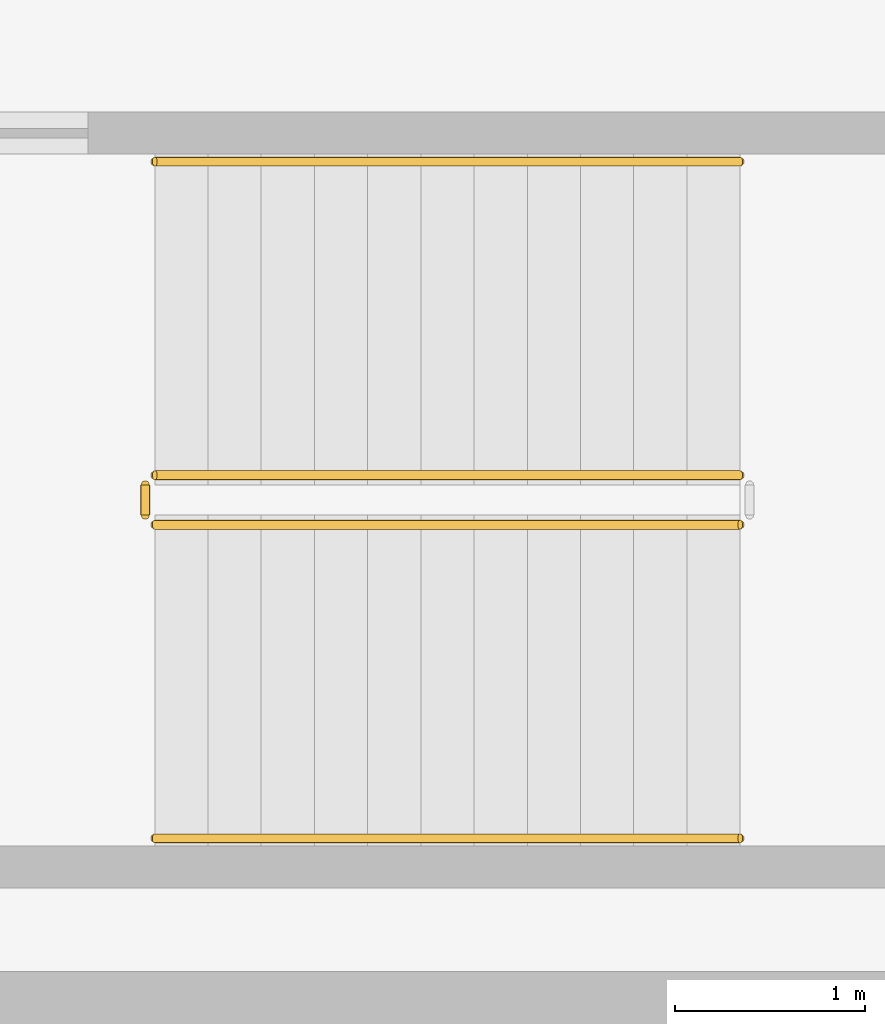
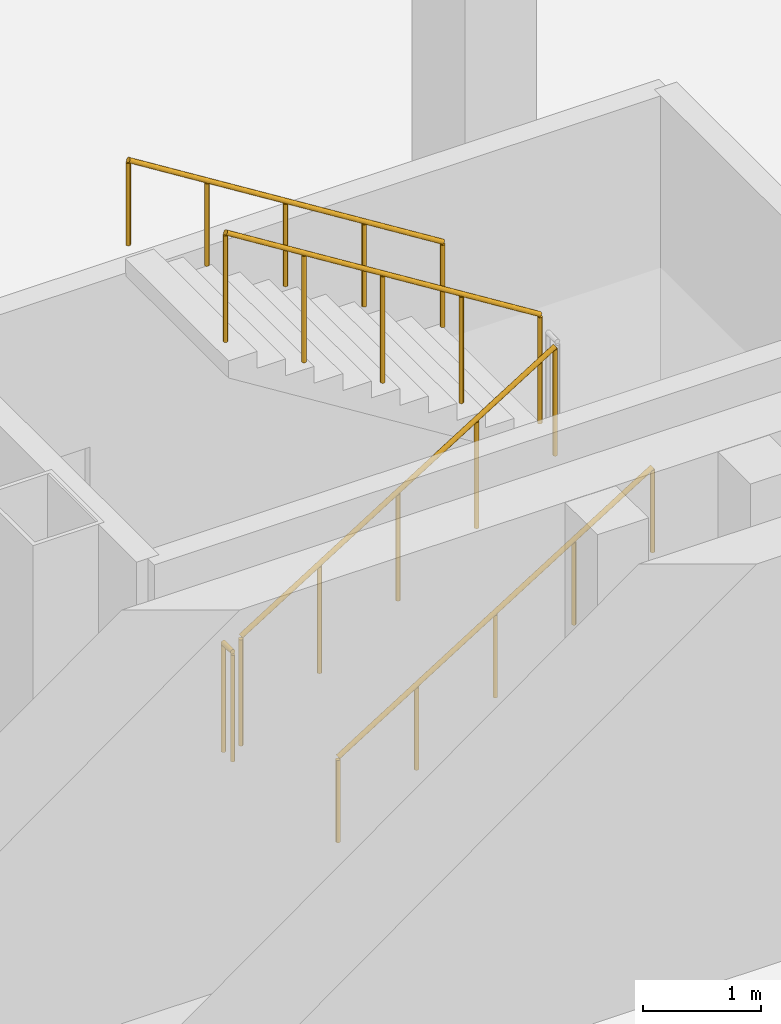
# One storey, part 11 of 16: 5 railings.
"""IFC4 building model written with IfcOpenShell, lengths in metres."""

from ifc_helpers import new_model, si_unit, direction, frame, origin, origin_2d, place, context, subcontext, project, spatial, circle, extrude, material, type_object, element, save


model = new_model("IFC4")

# Units and contexts
model_context = context("Model", 3, precision=1e-05, world=origin(), true_north=direction((0.0, 1.0)))
body_context = subcontext(model_context, "Body", "Model", "MODEL_VIEW")
ifc_project = project(units=[si_unit("LENGTHUNIT", "METRE"), si_unit("AREAUNIT", "SQUARE_METRE"), si_unit("VOLUMEUNIT", "CUBIC_METRE"), si_unit("PLANEANGLEUNIT", "RADIAN"), si_unit("MASSUNIT", "GRAM", prefix="KILO")], contexts=[model_context])

# Site, building, storey
site_placement = place(None, origin())
site = spatial("IfcSite", under=ifc_project, at=site_placement, CompositionType="ELEMENT")
building_placement = place(site_placement, origin())
building = spatial("IfcBuilding", under=site, at=building_placement, Name="Kolveth Station Tower", CompositionType="ELEMENT")
storey_placement = place(building_placement, frame((0.0, 0.0, -8.39990234375)))
storey = spatial("IfcBuildingStorey", under=building, at=storey_placement, Name="B2", CompositionType="ELEMENT", Elevation=-8.39990234375)

# Railings
ifc_material_1 = material(Name="Painted Steel S355 balustrade", Category="steel")
railing_type_1 = type_object("IfcRailingType", Name="Guard_GR2", PredefinedType="BALUSTRADE", material=ifc_material_1)
railing_1_placement = place(storey_placement, frame((57.75, -8.5, 0.1748046875)))
element("IfcRailing", 1, at=railing_1_placement, inside=storey, type_object=railing_type_1, Name="B2 ST4 stair guard 1", PredefinedType="BALUSTRADE", context=body_context, shape_type="SweptSolid", body=[
    extrude(circle(Radius=0.02392578125, at=origin_2d()), frame((0.0, 0.0, 1.1259765625), z_axis=(0.847998304005, 0.0, 0.529998940003), x_axis=(0.0, 1.0, 0.0)), (0.0, 0.0, 1.0), 3.632080078125),
    extrude(circle(Radius=0.02099609375, at=origin_2d()), origin(), (0.0, 0.0, 1.0), 1.101806640625),
    extrude(circle(Radius=0.02099609375, at=origin_2d()), frame((0.77001953125, 0.0, 0.481201171875)), (0.0, 0.0, 1.0), 1.101806640625),
    extrude(circle(Radius=0.02099609375, at=origin_2d()), frame((1.5400390625, 0.0, 0.96240234375)), (0.0, 0.0, 1.0), 1.101806640625),
    extrude(circle(Radius=0.02099609375, at=origin_2d()), frame((2.31005859375, 0.0, 1.44384765625)), (0.0, 0.0, 1.0), 1.101806640625),
    extrude(circle(Radius=0.02099609375, at=origin_2d()), frame((3.080078125, 0.0, 1.925048828125)), (0.0, 0.0, 1.0), 1.101806640625),
])
railing_2_placement = place(storey_placement, frame((60.830078125, -8.239990234375, 2.27490234375)))
element("IfcRailing", 2, at=railing_2_placement, inside=storey, type_object=railing_type_1, Name="B2 ST4 stair guard 3", PredefinedType="BALUSTRADE", context=body_context, shape_type="SweptSolid", body=[
    extrude(circle(Radius=0.02392578125, at=origin_2d()), frame((0.0, 0.0, 1.1259765625), z_axis=(-0.847998304005, 0.0, 0.529998940003), x_axis=(0.0, -1.0, 0.0)), (0.0, 0.0, 1.0), 3.632080078125),
    extrude(circle(Radius=0.02099609375, at=origin_2d()), origin(), (0.0, 0.0, 1.0), 1.101806640625),
    extrude(circle(Radius=0.02099609375, at=origin_2d()), frame((-0.77001953125, 0.0, 0.481201171875)), (0.0, 0.0, 1.0), 1.101806640625),
    extrude(circle(Radius=0.02099609375, at=origin_2d()), frame((-1.5400390625, 0.0, 0.96240234375)), (0.0, 0.0, 1.0), 1.101806640625),
    extrude(circle(Radius=0.02099609375, at=origin_2d()), frame((-2.31005859375, 0.0, 1.44384765625)), (0.0, 0.0, 1.0), 1.101806640625),
    extrude(circle(Radius=0.02099609375, at=origin_2d()), frame((-3.080078125, 0.0, 1.925048828125)), (0.0, 0.0, 1.0), 1.101806640625),
])
railing_3_placement = place(storey_placement, frame((57.699951171875, -8.449951171875, 0.0)))
element("IfcRailing", 3, at=railing_3_placement, inside=storey, type_object=railing_type_1, Name="B2 ST4 stair guard 4", PredefinedType="BALUSTRADE", context=body_context, shape_type="SweptSolid", body=[
    extrude(circle(Radius=0.02392578125, at=origin_2d()), frame((0.0, 0.0, 1.1259765625), z_axis=(0.0, 1.0, 0.0), x_axis=(-1.0, 0.0, 0.0)), (0.0, 0.0, 1.0), 0.159912109375),
    extrude(circle(Radius=0.02099609375, at=origin_2d()), origin(), (0.0, 0.0, 1.0), 1.101806640625),
    extrude(circle(Radius=0.02099609375, at=origin_2d()), frame((0.0, 0.159912109375, 0.0)), (0.0, 0.0, 1.0), 1.101806640625),
])
ifc_material_2 = material(Name="Brushed stainless steel", Category="steel")
railing_type_2 = type_object("IfcRailingType", Name="Handrail_HR1", PredefinedType="HANDRAIL", material=ifc_material_2)
railing_4_placement = place(storey_placement, frame((57.75, -10.14990234375, 0.1748046875)))
element("IfcRailing", 4, at=railing_4_placement, inside=storey, type_object=railing_type_2, Name="B2 ST4 stair handrail 1", PredefinedType="HANDRAIL", context=body_context, shape_type="SweptSolid", body=[
    extrude(circle(Radius=0.02392578125, at=origin_2d()), frame((0.0, 0.0, 0.8759765625), z_axis=(0.847998304005, 0.0, 0.529998940003), x_axis=(0.0, 1.0, 0.0)), (0.0, 0.0, 1.0), 3.632080078125),
    extrude(circle(Radius=0.02099609375, at=origin_2d()), origin(), (0.0, 0.0, 1.0), 0.851806640625),
    extrude(circle(Radius=0.02099609375, at=origin_2d()), frame((0.77001953125, 0.0, 0.481201171875)), (0.0, 0.0, 1.0), 0.851806640625),
    extrude(circle(Radius=0.02099609375, at=origin_2d()), frame((1.5400390625, 0.0, 0.96240234375)), (0.0, 0.0, 1.0), 0.851806640625),
    extrude(circle(Radius=0.02099609375, at=origin_2d()), frame((2.31005859375, 0.0, 1.44384765625)), (0.0, 0.0, 1.0), 0.851806640625),
    extrude(circle(Radius=0.02099609375, at=origin_2d()), frame((3.080078125, 0.0, 1.925048828125)), (0.0, 0.0, 1.0), 0.851806640625),
])
railing_5_placement = place(storey_placement, frame((60.830078125, -6.590087890625, 2.27490234375)))
element("IfcRailing", 5, at=railing_5_placement, inside=storey, type_object=railing_type_2, Name="B2 ST4 stair handrail 2", PredefinedType="HANDRAIL", context=body_context, shape_type="SweptSolid", body=[
    extrude(circle(Radius=0.02392578125, at=origin_2d()), frame((0.0, 0.0, 0.8759765625), z_axis=(-0.847998304005, 0.0, 0.529998940003), x_axis=(0.0, -1.0, 0.0)), (0.0, 0.0, 1.0), 3.632080078125),
    extrude(circle(Radius=0.02099609375, at=origin_2d()), origin(), (0.0, 0.0, 1.0), 0.851806640625),
    extrude(circle(Radius=0.02099609375, at=origin_2d()), frame((-0.77001953125, 0.0, 0.481201171875)), (0.0, 0.0, 1.0), 0.851806640625),
    extrude(circle(Radius=0.02099609375, at=origin_2d()), frame((-1.5400390625, 0.0, 0.96240234375)), (0.0, 0.0, 1.0), 0.851806640625),
    extrude(circle(Radius=0.02099609375, at=origin_2d()), frame((-2.31005859375, 0.0, 1.44384765625)), (0.0, 0.0, 1.0), 0.851806640625),
    extrude(circle(Radius=0.02099609375, at=origin_2d()), frame((-3.080078125, 0.0, 1.925048828125)), (0.0, 0.0, 1.0), 0.851806640625),
])

save(model, "model.ifc")
